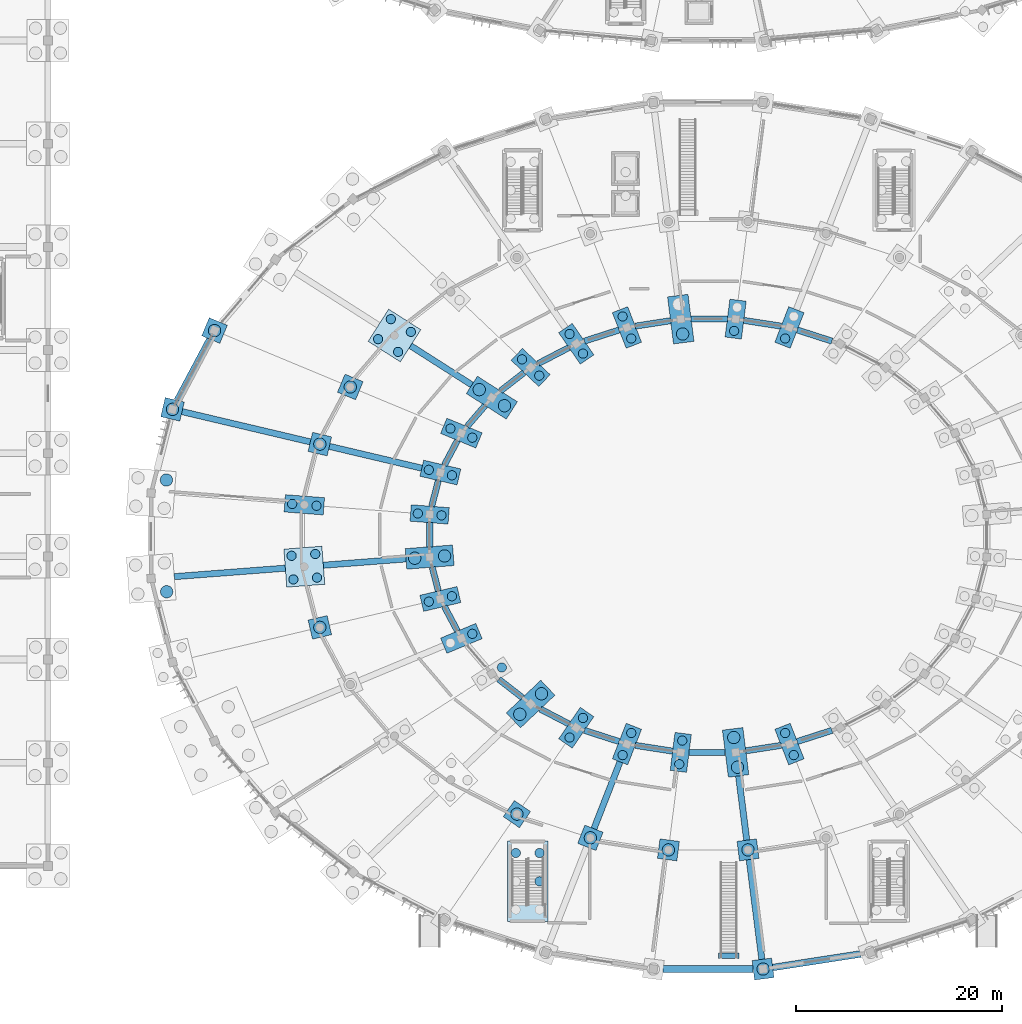
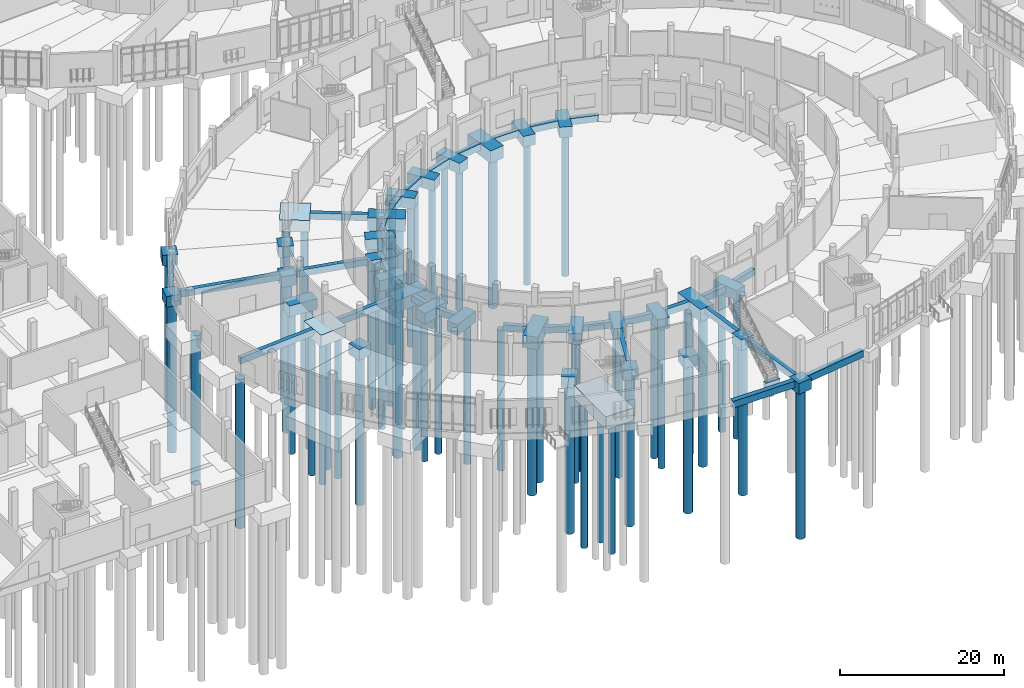
# One storey, part 3 of 140: 65 footings, 60 piles.
"""IFC4 building model written with IfcOpenShell, lengths in metres."""

from ifc_helpers import new_model, si_unit, direction, frame, origin, origin_2d, place, context, subcontext, project, spatial, rectangle, circle, extrude, material, layer, layer_set, material_profile, profile_set, type_object, element, save


model = new_model("IFC4")

# Units and contexts
model_context = context("Model", 3, precision=1e-05, world=origin(), true_north=direction((0.0, 1.0)))
body_context = subcontext(model_context, "Body", "Model", "MODEL_VIEW")
ifc_project = project(units=[si_unit("LENGTHUNIT", "METRE"), si_unit("AREAUNIT", "SQUARE_METRE"), si_unit("VOLUMEUNIT", "CUBIC_METRE"), si_unit("PLANEANGLEUNIT", "RADIAN"), si_unit("MASSUNIT", "GRAM", prefix="KILO")], contexts=[model_context])

# Site, building, storey
site_placement = place(None, origin())
site = spatial("IfcSite", under=ifc_project, at=site_placement, CompositionType="ELEMENT")
building_placement = place(site_placement, origin())
building = spatial("IfcBuilding", under=site, at=building_placement, Name="Corvandel Quay Wholesale Market", CompositionType="ELEMENT")
storey_placement = place(building_placement, origin())
storey = spatial("IfcBuildingStorey", under=building, at=storey_placement, Name="L00", CompositionType="ELEMENT", Elevation=0.0)

# Piles
ifc_material = material(Name="Concrete C40/50", Category="concrete")
ifc_material_profile_1 = material_profile(ifc_material, circle(Radius=0.60009765625, at=origin_2d()), Name="RC-PILE-D1200")
ifc_profile_set_1 = profile_set([ifc_material_profile_1], Name="Concrete C40/50")
pile_type_1 = type_object("IfcPileType", Name="Bored Pile D1200 L22.2", PredefinedType="BORED", material=ifc_profile_set_1)
for number, where, z_axis, x_axis, name in (
    (1, (111.52294921875, 61.56103515625, -1.75), (0.0, 0.0, -1.0), (1.0, 0.0, 0.0), "Bored Pile PIL-0183"),
    (2, (94.25, 54.60693359375, -1.75), (0.0, 0.0, -1.0), (1.0, 0.0, 0.0), "Bored Pile PIL-0209"),
    (3, (91.805908203125, 56.1669921875, -1.75), (0.0, 0.0, -1.0), (1.0, 0.0, 0.0), "Bored Pile PIL-0210"),
    (4, (66.14599609375, 61.89404296875, -1.5), (0.0, 0.0, -1.0), (1.0, 0.0, 0.0), "Bored Pile PIL-0211"),
    (5, (79.305908203125, 56.423095703125, -1.5), (0.0, 0.0, -1.0), (1.0, 0.0, 0.0), "Bored Pile PIL-0212"),
    (6, (62.074951171875, 54.2509765625, -1.5), (0.0, 0.0, -1.0), (1.0, 0.0, 0.0), "Bored Pile PIL-0215"),
    (7, (76.35498046875, 50.882080078125, -1.5), (0.0, 0.0, -1.0), (1.0, 0.0, 0.0), "Bored Pile PIL-0216"),
    (8, (61.48095703125, 47.407958984375, -1.860107421875), (0.0, 0.0, -1.0), (1.0, 0.0, 0.0), "Bored Pile PIL-0220"),
    (9, (61.5029296875, 36.573974609375, -1.85009765625), (0.0, 0.0, -1.0), (1.0, 0.0, 0.0), "Bored Pile PIL-0227"),
    (10, (88.446044921875, 40.04296875, -1.75), (0.0, 0.0, -1.0), (1.0, 0.0, 0.0), "Bored Pile PIL-0235"),
    (11, (85.553955078125, 39.821044921875, -1.75), (0.0, 0.0, -1.0), (1.0, 0.0, 0.0), "Bored Pile PIL-0236"),
    (12, (76.35498046875, 33.117919921875, -1.5), (0.0, 0.0, -1.0), (1.0, 0.0, 0.0), "Bored Pile PIL-0241"),
    (13, (97.841064453125, 26.68505859375, -1.75), (0.0, 0.0, -1.0), (1.0, 0.0, 0.0), "Bored Pile PIL-0269"),
    (14, (95.737060546875, 24.69091796875, -1.75), (0.0, 0.0, -1.0), (1.0, 0.0, 0.0), "Bored Pile PIL-0270"),
    (15, (95.4560546875, 15.01611328125, -1.5), (0.0, 0.0, -1.0), (1.0, 0.0, 0.0), "Bored Pile PIL-0272"),
    (16, (102.580078125, 12.719970703125, -1.5), (0.0, 0.0, -1.0), (1.0, 0.0, 0.0), "Bored Pile PIL-0276"),
    (17, (110.14404296875, 11.550048828125, -1.5), (0.0, 0.0, -1.0), (1.0, 0.0, 0.0), "Bored Pile PIL-0280"),
    (18, (119.319091796875, 0.0, -1.5), (0.0, 0.0, -1.0), (1.0, 0.0, 0.0), "Bored Pile PIL-0283"),
    (19, (117.85595703125, 11.550048828125, -1.5), (0.0, 0.0, -1.0), (1.0, 0.0, 0.0), "Bored Pile PIL-0284"),
    (20, (116.841064453125, 19.56103515625, -1.75), (0.0, 0.0, -1.0), (1.0, 0.0, 0.0), "Bored Pile PIL-0285"),
    (21, (116.47705078125, 22.43896484375, -1.75), (0.0, 0.0, -1.0), (1.0, 0.0, 0.0), "Bored Pile PIL-0286"),
):
    element("IfcPile", number, at=place(storey_placement, frame(where, z_axis=z_axis, x_axis=x_axis)), inside=storey, type_object=pile_type_1, Name=name, PredefinedType="BORED", context=body_context, shape_type="SweptSolid", body=[
        extrude(circle(Radius=0.60009765625, at=origin_2d()), origin(), (0.0, 0.0, 1.0), 22.199951171875),
    ])
ifc_material_profile_2 = material_profile(ifc_material, circle(Radius=0.449951171875, at=origin_2d()), Name="RC-PILE-D900")
ifc_profile_set_2 = profile_set([ifc_material_profile_2], Name="Concrete C40/50")
pile_type_2 = type_object("IfcPileType", Name="Bored Pile D900 L21.0", PredefinedType="BORED", material=ifc_profile_set_2)
for number, where, z_axis, x_axis, name in (
    (22, (121.4580078125, 61.1220703125, -1.5), (0.0, 0.0, -1.0), (1.0, 0.0, 0.0), "Bored Pile PIL-0176"),
    (23, (116.513916015625, 61.85888671875, -1.5), (0.0, 0.0, -1.0), (1.0, 0.0, 0.0), "Bored Pile PIL-0180"),
    (24, (106.5419921875, 61.1220703125, -1.5), (0.0, 0.0, -1.0), (1.0, 0.0, 0.0), "Bored Pile PIL-0187"),
    (25, (105.7060546875, 63.263916015625, -1.5), (0.0, 0.0, -1.0), (1.0, 0.0, 0.0), "Bored Pile PIL-0188"),
    (26, (101.862060546875, 59.662109375, -1.5), (0.0, 0.0, -1.0), (1.0, 0.0, 0.0), "Bored Pile PIL-0191"),
    (27, (100.56005859375, 61.55810546875, -1.5), (0.0, 0.0, -1.0), (1.0, 0.0, 0.0), "Bored Pile PIL-0192"),
    (28, (97.6240234375, 57.52099609375, -1.5), (0.0, 0.0, -1.0), (1.0, 0.0, 0.0), "Bored Pile PIL-0199"),
    (29, (95.9541015625, 59.10302734375, -1.5), (0.0, 0.0, -1.0), (1.0, 0.0, 0.0), "Bored Pile PIL-0200"),
    (30, (83.94091796875, 59.822998046875, -1.64990234375), (0.0, 0.0, -1.0), (1.0, 0.0, 0.0), "Bored Pile PIL-0205"),
    (31, (85.177978515625, 61.761962890625, -1.64990234375), (0.0, 0.0, -1.0), (1.0, 0.0, 0.0), "Bored Pile PIL-0206"),
    (32, (82.001953125, 61.06005859375, -1.64990234375), (0.0, 0.0, -1.0), (1.0, 0.0, 0.0), "Bored Pile PIL-0207"),
    (33, (83.239013671875, 62.9990234375, -1.64990234375), (0.0, 0.0, -1.0), (1.0, 0.0, 0.0), "Bored Pile PIL-0208"),
    (34, (91.135009765625, 51.506103515625, -1.5), (0.0, 0.0, -1.0), (1.0, 0.0, 0.0), "Bored Pile PIL-0213"),
    (35, (89.010986328125, 52.387939453125, -1.5), (0.0, 0.0, -1.0), (1.0, 0.0, 0.0), "Bored Pile PIL-0214"),
    (36, (89.156982421875, 47.861083984375, -1.5), (0.0, 0.0, -1.0), (1.0, 0.0, 0.0), "Bored Pile PIL-0217"),
    (37, (86.9189453125, 48.388916015625, -1.5), (0.0, 0.0, -1.0), (1.0, 0.0, 0.0), "Bored Pile PIL-0218"),
    (38, (76.027099609375, 44.908935546875, -1.52001953125), (0.0, 0.0, -1.0), (1.0, 0.0, 0.0), "Bored Pile PIL-0223"),
    (39, (73.673095703125, 45.089111328125, -1.52001953125), (0.0, 0.0, -1.0), (1.0, 0.0, 0.0), "Bored Pile PIL-0224"),
    (40, (88.14697265625, 43.97998046875, -1.5), (0.0, 0.0, -1.0), (1.0, 0.0, 0.0), "Bored Pile PIL-0225"),
    (41, (85.85302734375, 44.156005859375, -1.5), (0.0, 0.0, -1.0), (1.0, 0.0, 0.0), "Bored Pile PIL-0226"),
    (42, (76.083984375, 37.94189453125, -1.64990234375), (0.0, 0.0, -1.0), (1.0, 0.0, 0.0), "Bored Pile PIL-0231"),
    (43, (75.908935546875, 40.235107421875, -1.64990234375), (0.0, 0.0, -1.0), (1.0, 0.0, 0.0), "Bored Pile PIL-0232"),
    (44, (73.791015625, 37.76708984375, -1.64990234375), (0.0, 0.0, -1.0), (1.0, 0.0, 0.0), "Bored Pile PIL-0233"),
    (45, (73.615966796875, 40.06005859375, -1.64990234375), (0.0, 0.0, -1.0), (1.0, 0.0, 0.0), "Bored Pile PIL-0234"),
    (46, (89.156982421875, 36.138916015625, -1.5), (0.0, 0.0, -1.0), (1.0, 0.0, 0.0), "Bored Pile PIL-0242"),
    (47, (86.9189453125, 35.611083984375, -1.5), (0.0, 0.0, -1.0), (1.0, 0.0, 0.0), "Bored Pile PIL-0243"),
    (48, (91.135009765625, 32.493896484375, -1.5), (0.0, 0.0, -1.0), (1.0, 0.0, 0.0), "Bored Pile PIL-0251"),
    (49, (93.9970703125, 29.23193359375, -1.5), (0.0, 0.0, -1.0), (1.0, 0.0, 0.0), "Bored Pile PIL-0259"),
    (50, (101.862060546875, 24.337890625, -1.5), (0.0, 0.0, -1.0), (1.0, 0.0, 0.0), "Bored Pile PIL-0273"),
    (51, (100.56005859375, 22.44189453125, -1.5), (0.0, 0.0, -1.0), (1.0, 0.0, 0.0), "Bored Pile PIL-0274"),
    (52, (106.5419921875, 22.8779296875, -1.5), (0.0, 0.0, -1.0), (1.0, 0.0, 0.0), "Bored Pile PIL-0277"),
    (53, (105.7060546875, 20.736083984375, -1.5), (0.0, 0.0, -1.0), (1.0, 0.0, 0.0), "Bored Pile PIL-0278"),
    (54, (111.486083984375, 22.14111328125, -1.5), (0.0, 0.0, -1.0), (1.0, 0.0, 0.0), "Bored Pile PIL-0281"),
    (55, (111.196044921875, 19.85888671875, -1.5), (0.0, 0.0, -1.0), (1.0, 0.0, 0.0), "Bored Pile PIL-0282"),
    (56, (122.2939453125, 20.736083984375, -1.5), (0.0, 0.0, -1.0), (1.0, 0.0, 0.0), "Bored Pile PIL-0289"),
    (57, (121.4580078125, 22.8779296875, -1.5), (0.0, 0.0, -1.0), (1.0, 0.0, 0.0), "Bored Pile PIL-0290"),
):
    element("IfcPile", number, at=place(storey_placement, frame(where, z_axis=z_axis, x_axis=x_axis)), inside=storey, type_object=pile_type_2, Name=name, PredefinedType="BORED", context=body_context, shape_type="SweptSolid", body=[
        extrude(circle(Radius=0.449951171875, at=origin_2d()), origin(), (0.0, 0.0, 1.0), 21.0),
    ])
ifc_material_profile_3 = material_profile(ifc_material, circle(Radius=0.449951171875, at=origin_2d()), Name="RC-PILE-D900")
ifc_profile_set_3 = profile_set([ifc_material_profile_3], Name="Concrete C40/50")
pile_type_3 = type_object("IfcPileType", Name="Bored Pile D900 L21.8", PredefinedType="BORED", material=ifc_profile_set_3)
for number, where, z_axis, x_axis, name in (
    (58, (97.64990234375, 8.5, -1.800048828125), (0.0, 0.0, -1.0), (1.0, 0.0, 0.0), "Bored Pile PIL-0050"),
    (59, (95.35009765625, 11.25, -1.800048828125), (0.0, 0.0, -1.0), (1.0, 0.0, 0.0), "Bored Pile PIL-0051"),
    (60, (97.64990234375, 11.25, -1.800048828125), (0.0, 0.0, -1.0), (1.0, 0.0, 0.0), "Bored Pile PIL-0052"),
):
    element("IfcPile", number, at=place(storey_placement, frame(where, z_axis=z_axis, x_axis=x_axis)), inside=storey, type_object=pile_type_3, Name=name, PredefinedType="BORED", context=body_context, shape_type="SweptSolid", body=[
        extrude(circle(Radius=0.449951171875, at=origin_2d()), origin(), (0.0, 0.0, 1.0), 21.800048828125),
    ])

# Footings
ifc_layer_1 = layer(ifc_material, 0.89990234375)
ifc_layer_set_1 = layer_set([ifc_layer_1], Name="Concrete C40/50")
footing_type_1 = type_object("IfcFootingType", Name="Perimeter Grade Beam GB03 550x900", PredefinedType="FOOTING_BEAM", material=ifc_layer_set_1)
footing_1_placement = place(storey_placement, frame((116.0, 1.300048828125, -0.89990234375), z_axis=(0.0, 0.0, 1.0), x_axis=(1.0, 0.0, 0.0)))
element("IfcFooting", 61, at=footing_1_placement, inside=storey, type_object=footing_type_1, Name="Stair Toe Grade Beam FND-0777", PredefinedType="FOOTING_BEAM", context=body_context, shape_type="SweptSolid", body=[
    extrude(rectangle(XDim=2.0, YDim=0.550048828125, at=origin_2d()), origin(), (0.0, 0.0, 1.0), 0.89990234375),
])
ifc_layer_2 = layer(ifc_material, 1.60009765625)
ifc_layer_set_2 = layer_set([ifc_layer_2], Name="Concrete C40/50")
footing_type_2 = type_object("IfcFootingType", Name="Pile Cap PC01 1600x3700x1600", PredefinedType="PILE_CAP", material=ifc_layer_set_2)
for number, where, z_axis, x_axis, name in (
    (62, (121.8759765625, 62.193115234375, -1.60009765625), (0.0, 0.0, 1.0), (-0.931627814096, 0.363413835735, 0.0), "Pile Cap FND-0043"),
    (63, (116.658935546875, 63.0, -1.60009765625), (0.0, 0.0, 1.0), (-0.992070891321, 0.125679539283, 0.0), "Pile Cap FND-0046"),
    (64, (106.1240234375, 62.193115234375, -1.60009765625), (0.0, 0.0, 1.0), (0.931627814096, 0.363413835735, 0.0), "Pile Cap FND-0052"),
    (65, (101.2109375, 60.610107421875, -1.60009765625), (0.0, 0.0, 1.0), (0.824126188622, 0.566406236925, 0.0), "Pile Cap FND-0055"),
    (66, (96.7890625, 58.31201171875, -1.60009765625), (0.0, 0.0, 1.0), (0.687848001144, 0.725854756355, 0.0), "Pile Cap FND-0058"),
    (67, (90.072998046875, 51.947021484375, -1.60009765625), (0.0, 0.0, 1.0), (0.383811878264, 0.923411307113, 0.0), "Pile Cap FND-0064"),
    (68, (88.0380859375, 48.125, -1.60009765625), (0.0, 0.0, 1.0), (0.229710019669, 0.973259115993, 0.0), "Pile Cap FND-0067"),
    (69, (87.0, 44.068115234375, -1.60009765625), (0.0, 0.0, 1.0), (0.076370986393, 0.997079471475, 0.0), "Pile Cap FND-0070"),
    (70, (88.0380859375, 35.875, -1.60009765625), (0.0, 0.0, 1.0), (-0.229710019669, 0.973259115993, 0.0), "Pile Cap FND-0076"),
    (71, (90.072998046875, 32.052978515625, -1.60009765625), (0.0, 0.0, 1.0), (-0.383811878264, 0.923411307113, 0.0), "Pile Cap FND-0079"),
    (72, (101.2109375, 23.389892578125, -1.60009765625), (0.0, 0.0, 1.0), (-0.824126188622, 0.566406236925, 0.0), "Pile Cap FND-0088"),
    (73, (106.1240234375, 21.806884765625, -1.60009765625), (0.0, 0.0, 1.0), (-0.931627814096, 0.363413835735, 0.0), "Pile Cap FND-0091"),
    (74, (111.341064453125, 21.0, -1.60009765625), (0.0, 0.0, 1.0), (-0.992070891321, 0.125679539283, 0.0), "Pile Cap FND-0094"),
    (75, (121.8759765625, 21.806884765625, -1.60009765625), (0.0, 0.0, 1.0), (0.931627814096, 0.363413835735, 0.0), "Pile Cap FND-0100"),
):
    element("IfcFooting", number, at=place(storey_placement, frame(where, z_axis=z_axis, x_axis=x_axis)), inside=storey, type_object=footing_type_2, Name=name, PredefinedType="PILE_CAP", context=body_context, shape_type="SweptSolid", body=[
        extrude(rectangle(XDim=1.60009765625, YDim=3.699951171875, at=origin_2d()), origin(), (0.0, 0.0, 1.0), 1.60009765625),
    ])
ifc_layer_3 = layer(ifc_material, 1.75)
ifc_layer_set_3 = layer_set([ifc_layer_3], Name="Concrete C40/50")
footing_type_3 = type_object("IfcFootingType", Name="Pile Cap PC05 3700x3700x1750", PredefinedType="PILE_CAP", material=ifc_layer_set_3)
for number, where, z_axis, x_axis, name in (
    (76, (83.590087890625, 61.410888671875, -1.75), (0.0, 0.0, 1.0), (0.538035401546, 0.842922242371, 0.0), "Pile Cap FND-0060"),
    (77, (74.85009765625, 39.0009765625, -1.75), (0.0, 0.0, 1.0), (-0.076370986393, 0.997079471475, 0.0), "Pile Cap FND-0072"),
):
    element("IfcFooting", number, at=place(storey_placement, frame(where, z_axis=z_axis, x_axis=x_axis)), inside=storey, type_object=footing_type_3, Name=name, PredefinedType="PILE_CAP", context=body_context, shape_type="SweptSolid", body=[
        extrude(rectangle(XDim=3.699951171875, YDim=3.699951171875, at=origin_2d()), origin(), (0.0, 0.0, 1.0), 1.75),
    ])
ifc_layer_4 = layer(ifc_material, 1.85009765625)
ifc_layer_set_4 = layer_set([ifc_layer_4], Name="Concrete C40/50")
footing_type_4 = type_object("IfcFootingType", Name="Pile Cap PC09 2000x4600x1850", PredefinedType="PILE_CAP", material=ifc_layer_set_4)
for number, where, z_axis, x_axis, name in (
    (78, (111.341064453125, 63.0, -1.85009765625), (0.0, 0.0, 1.0), (0.992070891321, 0.125679539283, 0.0), "Pile Cap FND-0049"),
    (79, (93.028076171875, 55.386962890625, -1.85009765625), (0.0, 0.0, 1.0), (0.538035401546, 0.842922242371, 0.0), "Pile Cap FND-0061"),
    (80, (87.0, 39.931884765625, -1.85009765625), (0.0, 0.0, 1.0), (-0.076370986393, 0.997079471475, 0.0), "Pile Cap FND-0073"),
    (81, (96.7890625, 25.68798828125, -1.85009765625), (0.0, 0.0, 1.0), (-0.687848001144, 0.725854756355, 0.0), "Pile Cap FND-0085"),
    (82, (116.658935546875, 21.0, -1.85009765625), (0.0, 0.0, 1.0), (0.992070891321, 0.125679539283, 0.0), "Pile Cap FND-0097"),
):
    element("IfcFooting", number, at=place(storey_placement, frame(where, z_axis=z_axis, x_axis=x_axis)), inside=storey, type_object=footing_type_4, Name=name, PredefinedType="PILE_CAP", context=body_context, shape_type="SweptSolid", body=[
        extrude(rectangle(XDim=2.0, YDim=4.60009765625, at=origin_2d()), origin(), (0.0, 0.0, 1.0), 1.85009765625),
    ])
ifc_layer_5 = layer(ifc_material, 1.60009765625)
ifc_layer_set_5 = layer_set([ifc_layer_5], Name="Concrete C40/50")
footing_type_5 = type_object("IfcFootingType", Name="Pile Cap PC16 1900x1900x1600", PredefinedType="PILE_CAP", material=ifc_layer_set_5)
for number, where, z_axis, x_axis, name in (
    (83, (66.14599609375, 61.89404296875, -1.60009765625), (0.0, 0.0, 1.0), (0.383811878264, 0.923411307113, 0.0), "Pile Cap FND-0062"),
    (84, (79.305908203125, 56.423095703125, -1.60009765625), (0.0, 0.0, 1.0), (0.383811878264, 0.923411307113, 0.0), "Pile Cap FND-0063"),
    (85, (62.074951171875, 54.2509765625, -1.60009765625), (0.0, 0.0, 1.0), (0.229710019669, 0.973259115993, 0.0), "Pile Cap FND-0065"),
    (86, (76.35498046875, 50.882080078125, -1.60009765625), (0.0, 0.0, 1.0), (0.229710019669, 0.973259115993, 0.0), "Pile Cap FND-0066"),
    (87, (76.35498046875, 33.117919921875, -1.60009765625), (0.0, 0.0, 1.0), (-0.229710019669, 0.973259115993, 0.0), "Pile Cap FND-0075"),
    (88, (95.4560546875, 15.01611328125, -1.60009765625), (0.0, 0.0, 1.0), (-0.824126188622, 0.566406236925, 0.0), "Pile Cap FND-0087"),
    (89, (102.580078125, 12.719970703125, -1.60009765625), (0.0, 0.0, 1.0), (-0.931627814096, 0.363413835735, 0.0), "Pile Cap FND-0090"),
    (90, (110.14404296875, 11.550048828125, -1.60009765625), (0.0, 0.0, 1.0), (-0.992070891321, 0.125679539283, 0.0), "Pile Cap FND-0093"),
    (91, (119.319091796875, 0.0, -1.60009765625), (0.0, 0.0, 1.0), (0.992070891321, 0.125679539283, 0.0), "Pile Cap FND-0095"),
    (92, (117.85595703125, 11.550048828125, -1.60009765625), (0.0, 0.0, 1.0), (0.992070891321, 0.125679539283, 0.0), "Pile Cap FND-0096"),
):
    element("IfcFooting", number, at=place(storey_placement, frame(where, z_axis=z_axis, x_axis=x_axis)), inside=storey, type_object=footing_type_5, Name=name, PredefinedType="PILE_CAP", context=body_context, shape_type="SweptSolid", body=[
        extrude(rectangle(XDim=1.89990234375, YDim=1.89990234375, at=origin_2d()), origin(), (0.0, 0.0, 1.0), 1.60009765625),
    ])
ifc_layer_6 = layer(ifc_material, 1.6201171875)
ifc_layer_set_6 = layer_set([ifc_layer_6], Name="Concrete C40/50")
footing_type_6 = type_object("IfcFootingType", Name="Pile Cap PC21 1680x3800x1620", PredefinedType="PILE_CAP", material=ifc_layer_set_6)
footing_2_placement = place(storey_placement, frame((74.85009765625, 44.9990234375, -1.6201171875), z_axis=(0.0, 0.0, 1.0), x_axis=(0.076370986393, 0.997079471475, 0.0)))
element("IfcFooting", 93, at=footing_2_placement, inside=storey, type_object=footing_type_6, Name="Pile Cap FND-0069", PredefinedType="PILE_CAP", context=body_context, shape_type="SweptSolid", body=[
    extrude(rectangle(XDim=1.679931640625, YDim=3.800048828125, at=origin_2d()), origin(), (0.0, 0.0, 1.0), 1.6201171875),
])
ifc_layer_7 = layer(ifc_material, 0.949951171875)
ifc_layer_set_7 = layer_set([ifc_layer_7], Name="Concrete C40/50")
footing_type_7 = type_object("IfcFootingType", Name="Seismic Tie Beam GB01 600x950", PredefinedType="FOOTING_BEAM", material=ifc_layer_set_7)
footing_3_placement = place(storey_placement, frame((124.31689453125, 61.406982421875, -0.9501953125), z_axis=(0.0, 0.0, 1.0), x_axis=(-0.951808747363, 0.306692204733, 0.0)))
element("IfcFooting", 94, at=footing_3_placement, inside=storey, type_object=footing_type_7, Name="Grade Beam FND-0136", PredefinedType="FOOTING_BEAM", context=body_context, shape_type="SweptSolid", body=[
    extrude(rectangle(XDim=3.52490234375, YDim=0.60009765625, at=origin_2d()), origin(), (0.0, 0.0, 1.0), 0.949951171875),
])
footing_4_placement = place(storey_placement, frame((119.258056640625, 62.597900390625, -0.9501953125), z_axis=(0.0, 0.0, 1.0), x_axis=(-0.98825506746, 0.152813355565, 0.0)))
element("IfcFooting", 95, at=footing_4_placement, inside=storey, type_object=footing_type_7, Name="Grade Beam FND-0138", PredefinedType="FOOTING_BEAM", context=body_context, shape_type="SweptSolid", body=[
    extrude(rectangle(XDim=3.658935546875, YDim=0.60009765625, at=origin_2d()), origin(), (0.0, 0.0, 1.0), 0.949951171875),
])
footing_5_placement = place(storey_placement, frame((114.10107421875, 63.0, -0.9501953125), z_axis=(0.0, 0.0, 1.0), x_axis=(1.0, 0.0, 0.0)))
element("IfcFooting", 96, at=footing_5_placement, inside=storey, type_object=footing_type_7, Name="Grade Beam FND-0142", PredefinedType="FOOTING_BEAM", context=body_context, shape_type="SweptSolid", body=[
    extrude(rectangle(XDim=3.50390625, YDim=0.60009765625, at=origin_2d()), origin(), (0.0, 0.0, 1.0), 0.949951171875),
])
footing_6_placement = place(storey_placement, frame((108.64306640625, 62.5830078125, -0.9501953125), z_axis=(0.0, 0.0, 1.0), x_axis=(0.98825506746, 0.152813355565, 0.0)))
element("IfcFooting", 97, at=footing_6_placement, inside=storey, type_object=footing_type_7, Name="Grade Beam FND-0144", PredefinedType="FOOTING_BEAM", context=body_context, shape_type="SweptSolid", body=[
    extrude(rectangle(XDim=3.458984375, YDim=0.60009765625, at=origin_2d()), origin(), (0.0, 0.0, 1.0), 0.949951171875),
])
footing_7_placement = place(storey_placement, frame((103.68310546875, 61.406982421875, -0.9501953125), z_axis=(0.0, 0.0, 1.0), x_axis=(0.951808747363, 0.306692204733, 0.0)))
element("IfcFooting", 98, at=footing_7_placement, inside=storey, type_object=footing_type_7, Name="Grade Beam FND-0148", PredefinedType="FOOTING_BEAM", context=body_context, shape_type="SweptSolid", body=[
    extrude(rectangle(XDim=3.52490234375, YDim=0.60009765625, at=origin_2d()), origin(), (0.0, 0.0, 1.0), 0.949951171875),
])
footing_8_placement = place(storey_placement, frame((99.01806640625, 59.469970703125, -0.9501953125), z_axis=(0.0, 0.0, 1.0), x_axis=(0.887332978338, 0.461129250378, 0.0)))
element("IfcFooting", 99, at=footing_8_placement, inside=storey, type_object=footing_type_7, Name="Grade Beam FND-0150", PredefinedType="FOOTING_BEAM", context=body_context, shape_type="SweptSolid", body=[
    extrude(rectangle(XDim=3.3310546875, YDim=0.60009765625, at=origin_2d()), origin(), (0.0, 0.0, 1.0), 0.949951171875),
])
footing_9_placement = place(storey_placement, frame((95.008056640625, 56.927001953125, -0.9501953125), z_axis=(0.0, 0.0, 1.0), x_axis=(0.789405615633, 0.613871952452, 0.0)))
element("IfcFooting", 100, at=footing_9_placement, inside=storey, type_object=footing_type_7, Name="Grade Beam FND-0154", PredefinedType="FOOTING_BEAM", context=body_context, shape_type="SweptSolid", body=[
    extrude(rectangle(XDim=2.89404296875, YDim=0.60009765625, at=origin_2d()), origin(), (0.0, 0.0, 1.0), 0.949951171875),
])
footing_10_placement = place(storey_placement, frame((91.49609375, 53.60302734375, -0.9501953125), z_axis=(0.0, 0.0, 1.0), x_axis=(0.651568967347, 0.758589401976, 0.0)))
element("IfcFooting", 101, at=footing_10_placement, inside=storey, type_object=footing_type_7, Name="Grade Beam FND-0156", PredefinedType="FOOTING_BEAM", context=body_context, shape_type="SweptSolid", body=[
    extrude(rectangle(XDim=2.68310546875, YDim=0.60009765625, at=origin_2d()), origin(), (0.0, 0.0, 1.0), 0.949951171875),
])
footing_11_placement = place(storey_placement, frame((88.118896484375, 58.52001953125, -0.9501953125), z_axis=(0.0, 0.0, 1.0), x_axis=(-0.842922242371, 0.538035401546, 0.0)))
element("IfcFooting", 102, at=footing_11_placement, inside=storey, type_object=footing_type_7, Name="Grade Beam FND-0158", PredefinedType="FOOTING_BEAM", context=body_context, shape_type="SweptSolid", body=[
    extrude(rectangle(XDim=7.047119140625, YDim=0.60009765625, at=origin_2d()), origin(), (0.0, 0.0, 1.0), 0.949951171875),
])
footing_12_placement = place(storey_placement, frame((89.06103515625, 50.0458984375, -0.9501953125), z_axis=(0.0, 0.0, 1.0), x_axis=(0.469933808689, 0.882701657102, 0.0)))
element("IfcFooting", 103, at=footing_12_placement, inside=storey, type_object=footing_type_7, Name="Grade Beam FND-0160", PredefinedType="FOOTING_BEAM", context=body_context, shape_type="SweptSolid", body=[
    extrude(rectangle(XDim=2.698974609375, YDim=0.60009765625, at=origin_2d()), origin(), (0.0, 0.0, 1.0), 0.949951171875),
])
footing_13_placement = place(storey_placement, frame((87.52001953125, 46.10205078125, -0.9501953125), z_axis=(0.0, 0.0, 1.0), x_axis=(0.247844544316, 0.968799815159, 0.0)))
element("IfcFooting", 104, at=footing_13_placement, inside=storey, type_object=footing_type_7, Name="Grade Beam FND-0162", PredefinedType="FOOTING_BEAM", context=body_context, shape_type="SweptSolid", body=[
    extrude(rectangle(XDim=2.574951171875, YDim=0.60009765625, at=origin_2d()), origin(), (0.0, 0.0, 1.0), 0.949951171875),
])
footing_14_placement = place(storey_placement, frame((69.215087890625, 52.56591796875, -0.9501953125), z_axis=(0.0, 0.0, 1.0), x_axis=(-0.973259115993, 0.229710019669, 0.0)))
element("IfcFooting", 105, at=footing_14_placement, inside=storey, type_object=footing_type_7, Name="Grade Beam FND-0163", PredefinedType="FOOTING_BEAM", context=body_context, shape_type="SweptSolid", body=[
    extrude(rectangle(XDim=12.77197265625, YDim=0.60009765625, at=origin_2d()), origin(), (0.0, 0.0, 1.0), 0.949951171875),
])
footing_15_placement = place(storey_placement, frame((81.759033203125, 49.60693359375, -0.9501953125), z_axis=(0.0, 0.0, 1.0), x_axis=(-0.973259115993, 0.229710019669, 0.0)))
element("IfcFooting", 106, at=footing_15_placement, inside=storey, type_object=footing_type_7, Name="Grade Beam FND-0164", PredefinedType="FOOTING_BEAM", context=body_context, shape_type="SweptSolid", body=[
    extrude(rectangle(XDim=9.2041015625, YDim=0.60009765625, at=origin_2d()), origin(), (0.0, 0.0, 1.0), 0.949951171875),
])
footing_16_placement = place(storey_placement, frame((87.0, 42.10009765625, -0.9501953125), z_axis=(0.0, 0.0, 1.0), x_axis=(0.0, 1.0, 0.0)))
element("IfcFooting", 107, at=footing_16_placement, inside=storey, type_object=footing_type_7, Name="Grade Beam FND-0166", PredefinedType="FOOTING_BEAM", context=body_context, shape_type="SweptSolid", body=[
    extrude(rectangle(XDim=2.3310546875, YDim=0.60009765625, at=origin_2d()), origin(), (0.0, 0.0, 1.0), 0.949951171875),
])
footing_17_placement = place(storey_placement, frame((87.5458984375, 37.799072265625, -0.9501953125), z_axis=(0.0, 0.0, 1.0), x_axis=(-0.247844544316, 0.968799815159, 0.0)))
element("IfcFooting", 108, at=footing_17_placement, inside=storey, type_object=footing_type_7, Name="Grade Beam FND-0168", PredefinedType="FOOTING_BEAM", context=body_context, shape_type="SweptSolid", body=[
    extrude(rectangle(XDim=2.3720703125, YDim=0.60009765625, at=origin_2d()), origin(), (0.0, 0.0, 1.0), 0.949951171875),
])
footing_18_placement = place(storey_placement, frame((67.6240234375, 38.447021484375, -0.9501953125), z_axis=(0.0, 0.0, 1.0), x_axis=(0.997079471475, 0.076370986393, 0.0)))
element("IfcFooting", 109, at=footing_18_placement, inside=storey, type_object=footing_type_7, Name="Grade Beam FND-0169", PredefinedType="FOOTING_BEAM", context=body_context, shape_type="SweptSolid", body=[
    extrude(rectangle(XDim=10.7939453125, YDim=0.60009765625, at=origin_2d()), origin(), (0.0, 0.0, 1.0), 0.949951171875),
])
footing_19_placement = place(storey_placement, frame((80.700927734375, 39.448974609375, -0.9501953125), z_axis=(0.0, 0.0, 1.0), x_axis=(0.997079471475, 0.076370986393, 0.0)))
element("IfcFooting", 110, at=footing_19_placement, inside=storey, type_object=footing_type_7, Name="Grade Beam FND-0170", PredefinedType="FOOTING_BEAM", context=body_context, shape_type="SweptSolid", body=[
    extrude(rectangle(XDim=8.035888671875, YDim=0.60009765625, at=origin_2d()), origin(), (0.0, 0.0, 1.0), 0.949951171875),
])
footing_20_placement = place(storey_placement, frame((89.06103515625, 33.9541015625, -0.9501953125), z_axis=(0.0, 0.0, 1.0), x_axis=(-0.469933808689, 0.882701657102, 0.0)))
element("IfcFooting", 111, at=footing_20_placement, inside=storey, type_object=footing_type_7, Name="Grade Beam FND-0172", PredefinedType="FOOTING_BEAM", context=body_context, shape_type="SweptSolid", body=[
    extrude(rectangle(XDim=2.698974609375, YDim=0.60009765625, at=origin_2d()), origin(), (0.0, 0.0, 1.0), 0.949951171875),
])
footing_21_placement = place(storey_placement, frame((94.843994140625, 27.199951171875, -0.9501953125), z_axis=(0.0, 0.0, 1.0), x_axis=(-0.789405615633, 0.613871952452, 0.0)))
element("IfcFooting", 112, at=footing_21_placement, inside=storey, type_object=footing_type_7, Name="Grade Beam FND-0178", PredefinedType="FOOTING_BEAM", context=body_context, shape_type="SweptSolid", body=[
    extrude(rectangle(XDim=2.904052734375, YDim=0.60009765625, at=origin_2d()), origin(), (0.0, 0.0, 1.0), 0.949951171875),
])
footing_22_placement = place(storey_placement, frame((99.112060546875, 24.48095703125, -0.9501953125), z_axis=(0.0, 0.0, 1.0), x_axis=(-0.887332978338, 0.461129250378, 0.0)))
element("IfcFooting", 113, at=footing_22_placement, inside=storey, type_object=footing_type_7, Name="Grade Beam FND-0180", PredefinedType="FOOTING_BEAM", context=body_context, shape_type="SweptSolid", body=[
    extrude(rectangle(XDim=3.118896484375, YDim=0.60009765625, at=origin_2d()), origin(), (0.0, 0.0, 1.0), 0.949951171875),
])
footing_23_placement = place(storey_placement, frame((103.68310546875, 22.593017578125, -0.9501953125), z_axis=(0.0, 0.0, 1.0), x_axis=(-0.951808747363, 0.306692204733, 0.0)))
element("IfcFooting", 114, at=footing_23_placement, inside=storey, type_object=footing_type_7, Name="Grade Beam FND-0184", PredefinedType="FOOTING_BEAM", context=body_context, shape_type="SweptSolid", body=[
    extrude(rectangle(XDim=3.52490234375, YDim=0.60009765625, at=origin_2d()), origin(), (0.0, 0.0, 1.0), 0.949951171875),
])
footing_24_placement = place(storey_placement, frame((108.741943359375, 21.402099609375, -0.9501953125), z_axis=(0.0, 0.0, 1.0), x_axis=(-0.98825506746, 0.152813355565, 0.0)))
element("IfcFooting", 115, at=footing_24_placement, inside=storey, type_object=footing_type_7, Name="Grade Beam FND-0186", PredefinedType="FOOTING_BEAM", context=body_context, shape_type="SweptSolid", body=[
    extrude(rectangle(XDim=3.658935546875, YDim=0.60009765625, at=origin_2d()), origin(), (0.0, 0.0, 1.0), 0.949951171875),
])
footing_25_placement = place(storey_placement, frame((104.18896484375, 16.843994140625, -0.9501953125), z_axis=(0.0, 0.0, 1.0), x_axis=(0.363413835735, 0.931627814096, 0.0)))
element("IfcFooting", 116, at=footing_25_placement, inside=storey, type_object=footing_type_7, Name="Grade Beam FND-0188", PredefinedType="FOOTING_BEAM", context=body_context, shape_type="SweptSolid", body=[
    extrude(rectangle(XDim=6.9541015625, YDim=0.60009765625, at=origin_2d()), origin(), (0.0, 0.0, 1.0), 0.949951171875),
])
footing_26_placement = place(storey_placement, frame((113.89892578125, 21.0, -0.9501953125), z_axis=(0.0, 0.0, 1.0), x_axis=(1.0, 0.0, 0.0)))
element("IfcFooting", 117, at=footing_26_placement, inside=storey, type_object=footing_type_7, Name="Grade Beam FND-0190", PredefinedType="FOOTING_BEAM", context=body_context, shape_type="SweptSolid", body=[
    extrude(rectangle(XDim=3.50390625, YDim=0.60009765625, at=origin_2d()), origin(), (0.0, 0.0, 1.0), 0.949951171875),
])
footing_27_placement = place(storey_placement, frame((119.35693359375, 21.4169921875, -0.9501953125), z_axis=(0.0, 0.0, 1.0), x_axis=(0.98825506746, 0.152813355565, 0.0)))
element("IfcFooting", 118, at=footing_27_placement, inside=storey, type_object=footing_type_7, Name="Grade Beam FND-0192", PredefinedType="FOOTING_BEAM", context=body_context, shape_type="SweptSolid", body=[
    extrude(rectangle(XDim=3.458984375, YDim=0.60009765625, at=origin_2d()), origin(), (0.0, 0.0, 1.0), 0.949951171875),
])
footing_28_placement = place(storey_placement, frame((118.587890625, 5.77490234375, -0.9501953125), z_axis=(0.0, 0.0, 1.0), x_axis=(-0.125679539283, 0.992070891321, 0.0)))
element("IfcFooting", 119, at=footing_28_placement, inside=storey, type_object=footing_type_7, Name="Grade Beam FND-0193", PredefinedType="FOOTING_BEAM", context=body_context, shape_type="SweptSolid", body=[
    extrude(rectangle(XDim=9.741943359375, YDim=0.60009765625, at=origin_2d()), origin(), (0.0, 0.0, 1.0), 0.949951171875),
])
footing_29_placement = place(storey_placement, frame((117.342041015625, 15.60498046875, -0.9501953125), z_axis=(0.0, 0.0, 1.0), x_axis=(-0.125679539283, 0.992070891321, 0.0)))
element("IfcFooting", 120, at=footing_29_placement, inside=storey, type_object=footing_type_7, Name="Grade Beam FND-0194", PredefinedType="FOOTING_BEAM", context=body_context, shape_type="SweptSolid", body=[
    extrude(rectangle(XDim=6.27490234375, YDim=0.60009765625, at=origin_2d()), origin(), (0.0, 0.0, 1.0), 0.949951171875),
])
footing_30_placement = place(storey_placement, frame((124.31689453125, 22.593017578125, -0.9501953125), z_axis=(0.0, 0.0, 1.0), x_axis=(0.951808747363, 0.306692204733, 0.0)))
element("IfcFooting", 121, at=footing_30_placement, inside=storey, type_object=footing_type_7, Name="Grade Beam FND-0196", PredefinedType="FOOTING_BEAM", context=body_context, shape_type="SweptSolid", body=[
    extrude(rectangle(XDim=3.52490234375, YDim=0.60009765625, at=origin_2d()), origin(), (0.0, 0.0, 1.0), 0.949951171875),
])
ifc_layer_8 = layer(ifc_material, 1.0)
ifc_layer_set_8 = layer_set([ifc_layer_8], Name="Concrete C40/50")
footing_type_8 = type_object("IfcFootingType", Name="Seismic Tie Beam GB02 650x1000", PredefinedType="FOOTING_BEAM", material=ifc_layer_set_8)
footing_31_placement = place(storey_placement, frame((64.116943359375, 58.0849609375, -1.0), z_axis=(0.0, 0.0, 1.0), x_axis=(0.470087862033, 0.882619624736, 0.0)))
element("IfcFooting", 122, at=footing_31_placement, inside=storey, type_object=footing_type_8, Name="Grade Beam FND-0159", PredefinedType="FOOTING_BEAM", context=body_context, shape_type="SweptSolid", body=[
    extrude(rectangle(XDim=6.722900390625, YDim=0.64990234375, at=origin_2d()), origin(), (0.0, 0.0, 1.0), 1.0),
])
footing_32_placement = place(storey_placement, frame((114.0, 0.0, -1.0), z_axis=(0.0, 0.0, 1.0), x_axis=(1.0, 0.0, 0.0)))
element("IfcFooting", 123, at=footing_32_placement, inside=storey, type_object=footing_type_8, Name="Grade Beam FND-0189", PredefinedType="FOOTING_BEAM", context=body_context, shape_type="SweptSolid", body=[
    extrude(rectangle(XDim=8.722900390625, YDim=0.64990234375, at=origin_2d()), origin(), (0.0, 0.0, 1.0), 1.0),
])
footing_33_placement = place(storey_placement, frame((124.52392578125, 0.804931640625, -1.0), z_axis=(0.0, 0.0, 1.0), x_axis=(0.98825506746, 0.152813355565, 0.0)))
element("IfcFooting", 124, at=footing_33_placement, inside=storey, type_object=footing_type_8, Name="Grade Beam FND-0191", PredefinedType="FOOTING_BEAM", context=body_context, shape_type="SweptSolid", body=[
    extrude(rectangle(XDim=8.633056640625, YDim=0.64990234375, at=origin_2d()), origin(), (0.0, 0.0, 1.0), 1.0),
])
ifc_layer_9 = layer(ifc_material, 1.89990234375)
ifc_layer_set_9 = layer_set([ifc_layer_9], Name="Concrete C40/50")
footing_type_9 = type_object("IfcFootingType", Name="Shaft Pile Cap PC13 3900x7800x1900", PredefinedType="PILE_CAP", material=ifc_layer_set_9)
footing_34_placement = place(storey_placement, frame((96.5, 8.5, -1.89990234375), z_axis=(0.0, 0.0, 1.0), x_axis=(1.0, 0.0, 0.0)))
element("IfcFooting", 125, at=footing_34_placement, inside=storey, type_object=footing_type_9, Name="Pile Cap FND-0010", PredefinedType="PILE_CAP", context=body_context, shape_type="SweptSolid", body=[
    extrude(rectangle(XDim=3.89990234375, YDim=7.800048828125, at=origin_2d()), origin(), (0.0, 0.0, 1.0), 1.89990234375),
])

save(model, "model.ifc")
